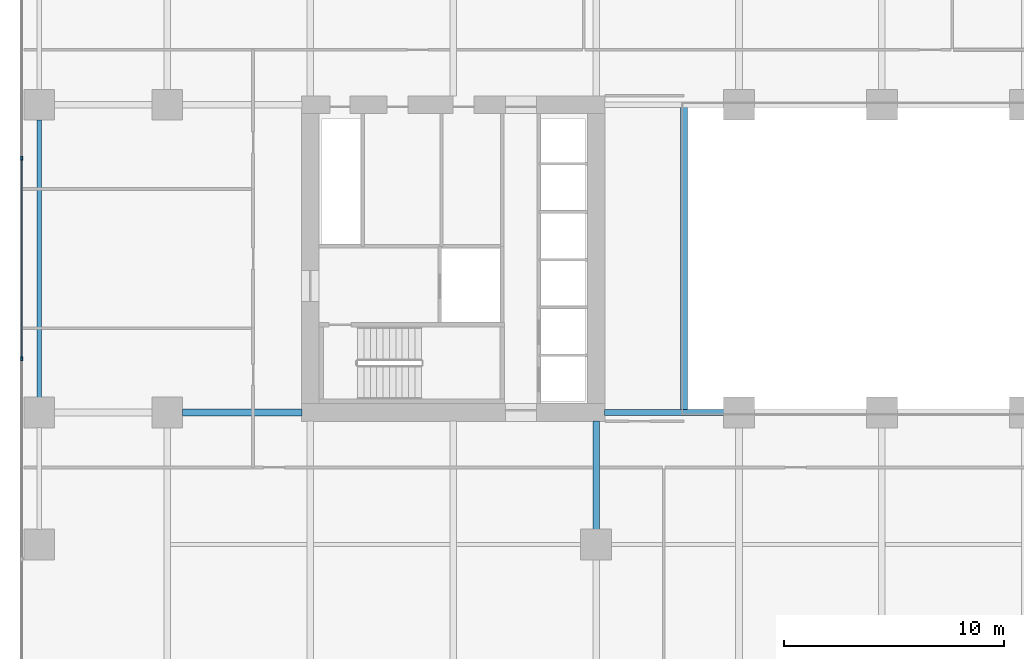
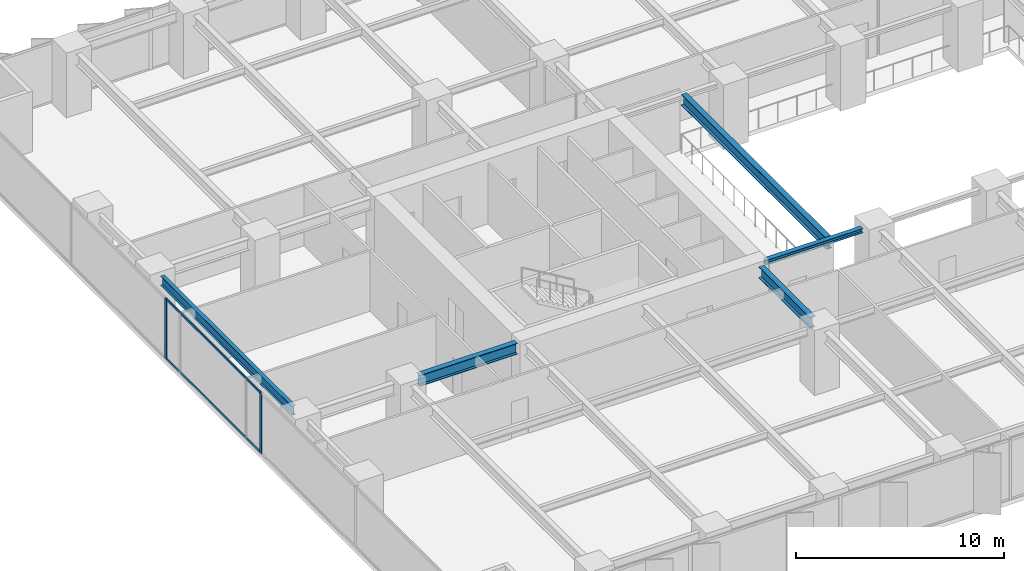
# One storey, part 4 of 20: 5 beams, 4 members, 1 element without a shape of its own.
"""IFC4 building model written with IfcOpenShell, lengths in metres."""

from ifc_helpers import new_model, si_unit, direction, frame, origin, origin_2d, place, context, subcontext, project, spatial, rectangle, i_section, extrude, material, layer, layer_set, material_profile, profile_set, type_object, element, aggregate, save


model = new_model("IFC4")

# Units and contexts
model_context = context("Model", 3, precision=1e-05, world=origin(), true_north=direction((0.0, 1.0)))
body_context = subcontext(model_context, "Body", "Model", "MODEL_VIEW")
ifc_project = project(units=[si_unit("LENGTHUNIT", "METRE"), si_unit("AREAUNIT", "SQUARE_METRE"), si_unit("VOLUMEUNIT", "CUBIC_METRE"), si_unit("PLANEANGLEUNIT", "RADIAN"), si_unit("MASSUNIT", "GRAM", prefix="KILO")], contexts=[model_context])

# Site, building, storey
site_placement = place(None, origin())
site = spatial("IfcSite", under=ifc_project, at=site_placement, CompositionType="ELEMENT")
building_placement = place(site_placement, origin())
building = spatial("IfcBuilding", under=site, at=building_placement, Name="Putna Gate Headquarters", CompositionType="ELEMENT")
storey_placement = place(building_placement, frame((0.0, 0.0, 54.39990234375)))
storey = spatial("IfcBuildingStorey", under=building, at=storey_placement, Name="L12", CompositionType="ELEMENT", Elevation=54.39990234375)

# Beams
ifc_material_1 = material(Name="Steel S355J2", Category="steel")
ifc_material_profile_1 = material_profile(ifc_material_1, i_section(OverallWidth=0.260009765625, OverallDepth=0.260009765625, WebThickness=0.010009765625, FlangeThickness=0.017578125, at=origin_2d()), Name="Steel S355J2")
ifc_profile_set_1 = profile_set([ifc_material_profile_1], Name="Steel S355J2")
beam_type_1 = type_object("IfcBeamType", Name="BM-ATRIUM-HEB260", PredefinedType="BEAM", material=ifc_profile_set_1)
beam_1_placement = place(storey_placement, frame((26.385009765625, 19.0, 3.420166015625), z_axis=(1.0, 0.0, 0.0), x_axis=(0.0, 1.0, 0.0)))
element("IfcBeam", 1, at=beam_1_placement, inside=storey, type_object=beam_type_1, Name="L12 Atrium Edge Beam AS1", PredefinedType="BEAM", context=body_context, shape_type="SweptSolid", body=[
    extrude(i_section(OverallWidth=0.260009765625, OverallDepth=0.260009765625, WebThickness=0.010009765625, FlangeThickness=0.017578125, at=origin_2d()), origin(), (0.0, 0.0, 1.0), 5.427001953125),
])
ifc_material_profile_2 = material_profile(ifc_material_1, i_section(OverallWidth=0.300048828125, OverallDepth=0.64990234375, WebThickness=0.01611328125, FlangeThickness=0.031005859375, at=origin_2d()), Name="Steel S355J2")
ifc_profile_set_2 = profile_set([ifc_material_profile_2], Name="Steel S355J2")
beam_type_2 = type_object("IfcBeamType", Name="BM-GIRD-Z1-HEB650", PredefinedType="USERDEFINED", material=ifc_profile_set_2)
beam_2_placement = place(storey_placement, frame((7.18798828125, 19.0, 3.22509765625), z_axis=(1.0, 0.0, 0.0), x_axis=(0.0, 1.0, 0.0)))
element("IfcBeam", 2, at=beam_2_placement, inside=storey, type_object=beam_type_2, Name="L12 West Wing Girder Y19-2", ObjectType="GIRDER", PredefinedType="USERDEFINED", context=body_context, shape_type="SweptSolid", body=[
    extrude(i_section(OverallWidth=0.300048828125, OverallDepth=0.64990234375, WebThickness=0.01611328125, FlangeThickness=0.031005859375, at=origin_2d()), origin(), (0.0, 0.0, 1.0), 5.427001953125),
])
beam_3_placement = place(storey_placement, frame((26.0, 13.68798828125, 3.22509765625), z_axis=(0.0, 1.0, 0.0), x_axis=(-1.0, 0.0, 0.0)))
element("IfcBeam", 3, at=beam_3_placement, inside=storey, type_object=beam_type_2, Name="L12 South Primary Girder X26-2", ObjectType="GIRDER", PredefinedType="USERDEFINED", context=body_context, shape_type="SweptSolid", body=[
    extrude(i_section(OverallWidth=0.300048828125, OverallDepth=0.64990234375, WebThickness=0.01611328125, FlangeThickness=0.031005859375, at=origin_2d()), origin(), (0.0, 0.0, 1.0), 4.927001953125),
])
beam_4_placement = place(storey_placement, frame((30.0, 19.010009765625, 3.22509765625), z_axis=(0.0, 1.0, 0.0), x_axis=(-1.0, 0.0, 0.0)))
element("IfcBeam", 4, at=beam_4_placement, inside=storey, type_object=beam_type_2, Name="L12 Atrium Trim Girder AW", ObjectType="GIRDER", PredefinedType="USERDEFINED", context=body_context, shape_type="SweptSolid", body=[
    extrude(i_section(OverallWidth=0.300048828125, OverallDepth=0.64990234375, WebThickness=0.01611328125, FlangeThickness=0.031005859375, at=origin_2d()), origin(), (0.0, 0.0, 1.0), 13.97998046875),
])
ifc_material_profile_3 = material_profile(ifc_material_1, i_section(OverallWidth=0.2099609375, OverallDepth=0.550048828125, WebThickness=0.010986328125, FlangeThickness=0.01708984375, at=origin_2d()), Name="Steel S355J2")
ifc_profile_set_3 = profile_set([ifc_material_profile_3], Name="Steel S355J2")
beam_type_3 = type_object("IfcBeamType", Name="BM-SPAN-Z1-IPE550", PredefinedType="SPANDREL", material=ifc_profile_set_3)
beam_5_placement = place(storey_placement, frame((0.679931640625, 19.68798828125, 3.275146484375), z_axis=(0.0, 1.0, 0.0), x_axis=(-1.0, 0.0, 0.0)))
element("IfcBeam", 5, at=beam_5_placement, inside=storey, type_object=beam_type_3, Name="L12 W End Spandrel 2", PredefinedType="SPANDREL", context=body_context, shape_type="SweptSolid", body=[
    extrude(i_section(OverallWidth=0.2099609375, OverallDepth=0.550048828125, WebThickness=0.010986328125, FlangeThickness=0.01708984375, at=origin_2d()), origin(), (0.0, 0.0, 1.0), 12.6240234375),
])

# Curtain wall, members
ifc_material_2 = material(Name="Anodised bronze aluminium curtain wall", Category="aluminium")
ifc_layer = layer(ifc_material_2, 0.179931640625)
ifc_layer_set = layer_set([ifc_layer], Name="Anodised bronze aluminium curtain wall")
curtain_wall_type = type_object("IfcCurtainWallType", Name="CW-SYS-Z1", PredefinedType="USERDEFINED", material=ifc_layer_set)
curtain_wall_placement = place(storey_placement, origin())
curtain_wall = element("IfcCurtainWall", 6, at=curtain_wall_placement, inside=storey, type_object=curtain_wall_type, Name="L12 West Curtain Wall", ObjectType="STICK CURTAIN WALL", PredefinedType="USERDEFINED")
ifc_material_3 = material(Name="Anodised bronze aluminium EN AW-6060", Category="aluminium")
ifc_material_profile_4 = material_profile(ifc_material_3, rectangle(XDim=0.070068359375, YDim=0.179931640625, at=origin_2d()), Name="Anodised bronze aluminium EN AW-6060")
ifc_profile_set_4 = profile_set([ifc_material_profile_4], Name="Anodised bronze aluminium EN AW-6060")
member_type_1 = type_object("IfcMemberType", Name="MULL-CWM-1", PredefinedType="MULLION", material=ifc_profile_set_4)
member_1_placement = place(storey_placement, frame((-0.1201171875, 21.43994140625, 0.0), z_axis=(0.0, 0.0, 1.0), x_axis=(-1.0, 0.0, 0.0)))
member_1 = element("IfcMember", 7, at=member_1_placement, type_object=member_type_1, Name="CWS-1 mullion 3", PredefinedType="MULLION", context=body_context, shape_type="SweptSolid", body=[
    extrude(rectangle(XDim=0.070068359375, YDim=0.179931640625, at=origin_2d()), origin(), (0.0, 0.0, 1.0), 3.550048828125),
])
member_2_placement = place(storey_placement, frame((-0.1201171875, 30.56005859375, 0.0), z_axis=(0.0, 0.0, 1.0), x_axis=(-1.0, 0.0, 0.0)))
member_2 = element("IfcMember", 8, at=member_2_placement, type_object=member_type_1, Name="CWS-1 mullion 4", PredefinedType="MULLION", context=body_context, shape_type="SweptSolid", body=[
    extrude(rectangle(XDim=0.070068359375, YDim=0.179931640625, at=origin_2d()), origin(), (0.0, 0.0, 1.0), 3.550048828125),
])
ifc_material_profile_5 = material_profile(ifc_material_3, rectangle(XDim=0.06494140625, YDim=0.1201171875, at=origin_2d()), Name="Anodised bronze aluminium EN AW-6060")
ifc_profile_set_5 = profile_set([ifc_material_profile_5], Name="Anodised bronze aluminium EN AW-6060")
member_type_2 = type_object("IfcMemberType", Name="TRAN-CWT-1", PredefinedType="USERDEFINED", material=ifc_profile_set_5)
member_3_placement = place(storey_placement, frame((-0.1201171875, 21.47509765625, 0.03271484375), z_axis=(0.0, 1.0, 0.0), x_axis=(-1.0, 0.0, 0.0)))
member_3 = element("IfcMember", 9, at=member_3_placement, type_object=member_type_2, Name="CWS-1 transom 3.1", ObjectType="TRANSOM", PredefinedType="USERDEFINED", context=body_context, shape_type="SweptSolid", body=[
    extrude(rectangle(XDim=0.06494140625, YDim=0.1201171875, at=origin_2d()), origin(), (0.0, 0.0, 1.0), 9.0498046875),
])
member_4_placement = place(storey_placement, frame((-0.1201171875, 21.47509765625, 3.517578125), z_axis=(0.0, 1.0, 0.0), x_axis=(-1.0, 0.0, 0.0)))
member_4 = element("IfcMember", 10, at=member_4_placement, type_object=member_type_2, Name="CWS-1 transom 3.2", ObjectType="TRANSOM", PredefinedType="USERDEFINED", context=body_context, shape_type="SweptSolid", body=[
    extrude(rectangle(XDim=0.06494140625, YDim=0.1201171875, at=origin_2d()), origin(), (0.0, 0.0, 1.0), 9.0498046875),
])
aggregate(curtain_wall, [member_1, member_2, member_3, member_4])

save(model, "model.ifc")
